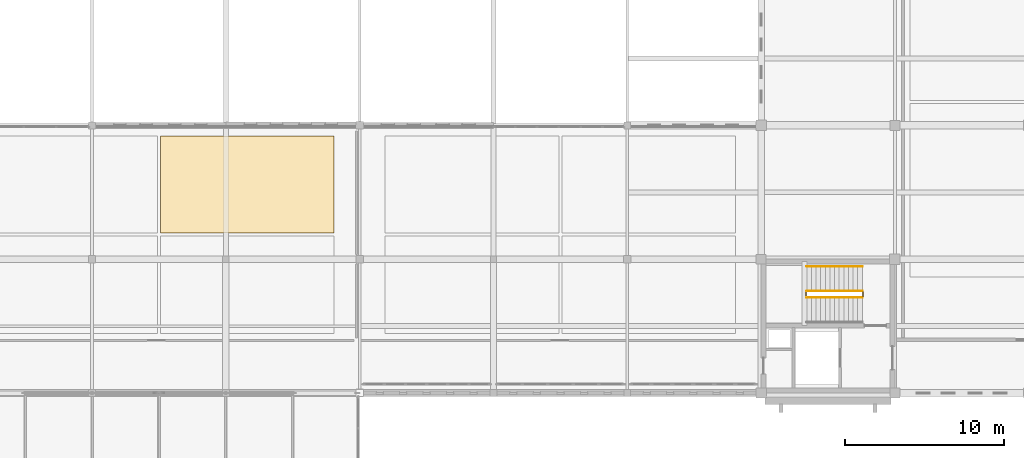
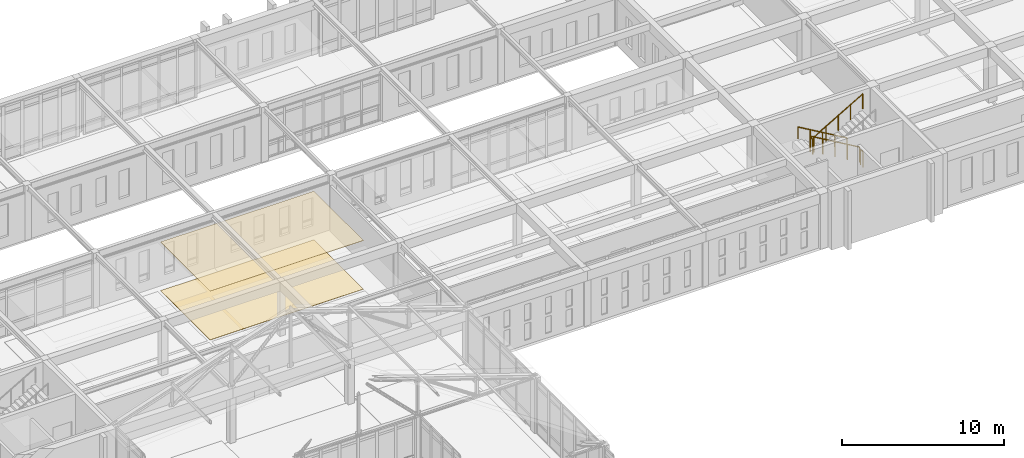
# One storey, part 188 of 192: 5 railings, 2 coverings.
"""IFC4 building model written with IfcOpenShell, lengths in metres."""

import ifcopenshell
import ifcopenshell.guid

model = None  # the IFC model being written
_history = None  # IfcOwnerHistory: only IFC2X3 demands one
_inside = {}  # id of a spatial element -> (the spatial element, [elements in it])
_under = {}  # id of a project, library or spatial element -> (it, [spatial elements below it])
_declared = {}  # id of a project -> (the project, [libraries it declares])
_typed = {}  # id of a type object -> (the type object, [elements of that type])
_made_of = {}  # id of a material, layer set ... -> (it, [elements and type objects made of it])


def new_model(schema):
    """Start an empty IFC model of exactly this schema.

    Asked for "IFC4X3", IfcOpenShell would pick the latest addendum, in which some entities
    have other attributes; the version numbers below select the first issue.
    IFC2X3 requires an IfcOwnerHistory on every rooted entity: one is made here for all.
    """
    global model, _history
    if schema == "IFC4X3":
        model = ifcopenshell.file(schema_version=(4, 3, 0, 0))
    else:
        model = ifcopenshell.file(schema=schema)
    _inside.clear()
    _under.clear()
    _declared.clear()
    _typed.clear()
    _made_of.clear()
    _history = None
    if model.schema == "IFC2X3":
        org = make("IfcOrganization", Name="unknown")
        user = make(
            "IfcPersonAndOrganization",
            ThePerson=make("IfcPerson", FamilyName="unknown"),
            TheOrganization=org,
        )
        app = make(
            "IfcApplication",
            ApplicationDeveloper=org,
            Version="unknown",
            ApplicationFullName="unknown",
            ApplicationIdentifier="unknown",
        )
        _history = make(
            "IfcOwnerHistory",
            OwningUser=user,
            OwningApplication=app,
            ChangeAction="ADDED",
            CreationDate=0,
        )
    return model


def make(cls, **values):
    """One entity of the class cls with the attributes given. An attribute that is None is left unset."""
    return model.create_entity(
        cls, **{name: value for name, value in values.items() if value is not None}
    )


def rooted(cls, **values):
    """An entity with a GlobalId (a new one), such as an element, a storey or a relation."""
    return make(cls, GlobalId=ifcopenshell.guid.new(), OwnerHistory=_history, **values)


def si_unit(unit_type, name, prefix=None):
    """IfcSIUnit, for example si_unit("LENGTHUNIT", "METRE", prefix="MILLI")."""
    return make("IfcSIUnit", UnitType=unit_type, Prefix=prefix, Name=name)


def assignment(units):
    """IfcUnitAssignment: the units of a project."""
    return None if units is None else make("IfcUnitAssignment", Units=units)


def point(xyz):
    """IfcCartesianPoint."""
    return None if xyz is None else make("IfcCartesianPoint", Coordinates=xyz)


def direction(xyz):
    """IfcDirection."""
    return None if xyz is None else make("IfcDirection", DirectionRatios=xyz)


def frame(location, z_axis=None, x_axis=None):
    """IfcAxis2Placement3D, a coordinate frame: its origin and axes. An axis left out is left unset."""
    return make(
        "IfcAxis2Placement3D",
        Location=point(location),
        Axis=direction(z_axis),
        RefDirection=direction(x_axis),
    )


def frame_2d(location, x_axis=None):
    """IfcAxis2Placement2D, a coordinate frame in the plane: its origin and x axis."""
    return make(
        "IfcAxis2Placement2D", Location=point(location), RefDirection=direction(x_axis)
    )


def origin():
    """The frame at (0, 0, 0) with its axes left unset."""
    return frame((0.0, 0.0, 0.0))


def origin_2d():
    """The frame at (0, 0) in the plane with its x axis left unset."""
    return frame_2d((0.0, 0.0))


def place(relative_to, where):
    """IfcLocalPlacement: puts the frame where relative to a parent placement (None: the world)."""
    return make(
        "IfcLocalPlacement", PlacementRelTo=relative_to, RelativePlacement=where
    )


def context(
    kind, dimensions, precision=None, world=None, true_north=None, identifier=None
):
    """IfcGeometricRepresentationContext, for example the 3D "Model" context."""
    return make(
        "IfcGeometricRepresentationContext",
        ContextIdentifier=identifier,
        ContextType=kind,
        CoordinateSpaceDimension=dimensions,
        Precision=precision,
        WorldCoordinateSystem=world,
        TrueNorth=true_north,
    )


def subcontext(parent, identifier, kind, view, scale=None):
    """IfcGeometricRepresentationSubContext, for example "Body" below "Model"."""
    return make(
        "IfcGeometricRepresentationSubContext",
        ContextIdentifier=identifier,
        ContextType=kind,
        ParentContext=parent,
        TargetScale=scale,
        TargetView=view,
    )


def project(units=None, contexts=None):
    """IfcProject with its units and contexts."""
    return rooted(
        "IfcProject",
        Name="project",
        RepresentationContexts=contexts,
        UnitsInContext=assignment(units),
    )


def spatial(cls, under=None, at=None, **own):
    """A site, building, storey or space (cls), placed at a placement, below another one or the project."""
    s = rooted(cls, ObjectPlacement=at, **own)
    if under is not None:
        _under.setdefault(under.id(), (under, []))[1].append(s)
    return s


def profile(cls, at=None, kind="AREA", **sizes):
    """A parametric profile (cls). Its sizes go by their IFC names, for example OverallWidth=200.0."""
    return make(cls, ProfileType=kind, Position=at, **sizes)


def rectangle(**sizes):
    """IfcRectangleProfileDef."""
    return profile("IfcRectangleProfileDef", **sizes)


def circle(**sizes):
    """IfcCircleProfileDef."""
    return profile("IfcCircleProfileDef", **sizes)


def extrude(swept, where, along, depth):
    """IfcExtrudedAreaSolid: the profile swept, set in the frame where, extruded along a direction by depth."""
    return make(
        "IfcExtrudedAreaSolid",
        SweptArea=swept,
        Position=where,
        ExtrudedDirection=direction(along),
        Depth=depth,
    )


def shape(context_of_items, identifier, shape_type, items):
    """IfcShapeRepresentation: the items that make up one representation, for example the "Body"."""
    return make(
        "IfcShapeRepresentation",
        ContextOfItems=context_of_items,
        RepresentationIdentifier=identifier,
        RepresentationType=shape_type,
        Items=items,
    )


def material(Name=None, Category=None):
    """IfcMaterial."""
    return make("IfcMaterial", Name=Name, Category=Category)


def layer(
    of_material, thickness, ventilated=None, Name=None, Category=None, Priority=None
):
    """IfcMaterialLayer: one layer of a wall or slab, of a material (None: an air gap)."""
    return make(
        "IfcMaterialLayer",
        Material=of_material,
        LayerThickness=thickness,
        IsVentilated=ventilated,
        Name=Name,
        Category=Category,
        Priority=Priority,
    )


def layer_set(layers, Name=None):
    """IfcMaterialLayerSet."""
    return make("IfcMaterialLayerSet", MaterialLayers=layers, LayerSetName=Name)


def made_of(thing, what):
    """Note that an element or type object is made of a material, layer set ...; save() writes the relation."""
    if what is not None:
        _made_of.setdefault(what.id(), (what, []))[1].append(thing)
    return thing


def type_object(cls, material=None, **own):
    """A type object (cls), such as IfcWallType, which elements share."""
    return made_of(rooted(cls, **own), material)


def element(
    cls,
    number,
    at=None,
    inside=None,
    cuts=None,
    type_object=None,
    material=None,
    context=None,
    identifier="Body",
    shape_type=None,
    held_by="IfcProductDefinitionShape",
    body=None,
    shapes=None,
    **own,
):
    """One element of the class cls, such as IfcWall. Its Tag is "e" and its number.

    at: its placement. inside: the storey or other place that contains it. cuts: it is an
    opening in that element (IfcRelVoidsElement). A single representation is given by context,
    identifier, shape_type and body (its items); several are given by shapes. held_by: the class
    of the entity that holds the representations. save() writes the other relations.
    """
    e = rooted(cls, Tag="e%d" % number, ObjectPlacement=at, **own)
    if body is not None:
        shapes = [shape(context, identifier, shape_type, body)]
    if shapes is not None:
        e.Representation = make(held_by, Representations=shapes)
    if inside is not None:
        _inside.setdefault(inside.id(), (inside, []))[1].append(e)
    if cuts is not None:
        rooted(
            "IfcRelVoidsElement", RelatingBuildingElement=cuts, RelatedOpeningElement=e
        )
    if type_object is not None:
        _typed.setdefault(type_object.id(), (type_object, []))[1].append(e)
    return made_of(e, material)


def aggregate(whole, parts):
    """IfcRelAggregates: a whole, such as a stair, and the parts it consists of."""
    return rooted("IfcRelAggregates", RelatingObject=whole, RelatedObjects=parts)


def save(model, path):
    """Write the relations noted so far, then the file.

    IfcRelAggregates (storeys below a building ...), IfcRelContainedInSpatialStructure (elements
    in a storey), IfcRelDefinesByType, IfcRelAssociatesMaterial and IfcRelDeclares: one each for
    every whole, place, type object, material and project.
    """
    for whole, parts in _under.values():
        aggregate(whole, parts)
    for where, things in _inside.values():
        rooted(
            "IfcRelContainedInSpatialStructure",
            RelatedElements=things,
            RelatingStructure=where,
        )
    for kind, things in _typed.values():
        rooted("IfcRelDefinesByType", RelatedObjects=things, RelatingType=kind)
    for what, things in _made_of.values():
        rooted("IfcRelAssociatesMaterial", RelatedObjects=things, RelatingMaterial=what)
    for by, libraries in _declared.values():
        rooted("IfcRelDeclares", RelatingContext=by, RelatedDefinitions=libraries)
    model.write(path)


model = new_model("IFC4")

# Units and contexts
model_context = context("Model", 3, precision=1e-05, world=origin(), true_north=direction((0.0, 1.0)))
body_context = subcontext(model_context, "Body", "Model", "MODEL_VIEW")
ifc_project = project(units=[si_unit("LENGTHUNIT", "METRE"), si_unit("AREAUNIT", "SQUARE_METRE"), si_unit("VOLUMEUNIT", "CUBIC_METRE"), si_unit("PLANEANGLEUNIT", "RADIAN"), si_unit("MASSUNIT", "GRAM", prefix="KILO")], contexts=[model_context])

# Site, building, storey
site_placement = place(None, origin())
site = spatial("IfcSite", under=ifc_project, at=site_placement, CompositionType="ELEMENT")
building_placement = place(site_placement, origin())
building = spatial("IfcBuilding", under=site, at=building_placement, Name="Kveldsbrygga Polytechnic", CompositionType="ELEMENT")
storey_placement = place(building_placement, frame((0.0, 0.0, 5.43994140625)))
storey = spatial("IfcBuildingStorey", under=building, at=storey_placement, Name="L01", CompositionType="ELEMENT", Elevation=5.43994140625)

# Coverings
ifc_material_1 = material(Name="Acoustic mineral baffle ceiling")
ifc_layer_1 = layer(ifc_material_1, 0.030029296875)
ifc_layer_set_1 = layer_set([ifc_layer_1], Name="Acoustic mineral baffle ceiling")
covering_type_1 = type_object("IfcCoveringType", Name="COV-CEIL-AC30", PredefinedType="CEILING", material=ifc_layer_set_1)
covering_1_placement = place(storey_placement, frame((68.550048828125, 97.10009765625, 3.64990234375), z_axis=(0.0, 0.0, 1.0), x_axis=(1.0, 0.0, 0.0)))
element("IfcCovering", 1, at=covering_1_placement, inside=storey, type_object=covering_type_1, Name="Acoustic Ceiling SP-L01-SEM11-EN", PredefinedType="CEILING", context=body_context, shape_type="SweptSolid", body=[
    extrude(rectangle(XDim=10.89990234375, YDim=6.10009765625, at=origin_2d()), origin(), (0.0, 0.0, 1.0), 0.030029296875),
])
ifc_material_2 = material(Name="Acoustic oak timber flooring", Category="wood")
ifc_layer_2 = layer(ifc_material_2, 0.02197265625)
ifc_layer_set_2 = layer_set([ifc_layer_2], Name="Acoustic oak timber flooring")
covering_type_2 = type_object("IfcCoveringType", Name="COV-FLR-OAK22", PredefinedType="FLOORING", material=ifc_layer_set_2)
covering_2_placement = place(storey_placement, frame((68.550048828125, 97.10009765625, 0.0), z_axis=(0.0, 0.0, 1.0), x_axis=(1.0, 0.0, 0.0)))
element("IfcCovering", 2, at=covering_2_placement, inside=storey, type_object=covering_type_2, Name="Room Flooring SP-L01-SEM11-EN", PredefinedType="FLOORING", context=body_context, shape_type="SweptSolid", body=[
    extrude(rectangle(XDim=10.89990234375, YDim=6.10009765625, at=origin_2d()), origin(), (0.0, 0.0, 1.0), 0.02197265625),
])

# Railings
ifc_material_3 = material(Name="Steel S355", Category="steel")
railing_type_1 = type_object("IfcRailingType", Name="RL-STAIR-GRD", PredefinedType="GUARDRAIL", material=ifc_material_3)
railing_1_placement = place(storey_placement, frame((107.14990234375, 90.39990234375, 0.170166015625)))
element("IfcRailing", 3, at=railing_1_placement, inside=storey, type_object=railing_type_1, Name="L01 ST-5 stair guard 1", PredefinedType="GUARDRAIL", context=body_context, shape_type="SweptSolid", body=[
    extrude(circle(Radius=0.02392578125, at=origin_2d()), frame((0.0, 0.0, 1.1259765625), z_axis=(-0.862718911971, 0.0, 0.505683773644), x_axis=(0.0, -1.0, 0.0)), (0.0, 0.0, 1.0), 4.03369140625),
    extrude(circle(Radius=0.02099609375, at=origin_2d()), origin(), (0.0, 0.0, 1.0), 1.097900390625),
    extrude(circle(Radius=0.02099609375, at=origin_2d()), frame((-0.8701171875, 0.0, 0.510009765625)), (0.0, 0.0, 1.0), 1.097900390625),
    extrude(circle(Radius=0.02099609375, at=origin_2d()), frame((-1.739990234375, 0.0, 1.02001953125)), (0.0, 0.0, 1.0), 1.097900390625),
    extrude(circle(Radius=0.02099609375, at=origin_2d()), frame((-2.60986328125, 0.0, 1.52978515625)), (0.0, 0.0, 1.0), 1.097900390625),
    extrude(circle(Radius=0.02099609375, at=origin_2d()), frame((-3.47998046875, 0.0, 2.039794921875)), (0.0, 0.0, 1.0), 1.097900390625),
])
railing_2_placement = place(storey_placement, frame((103.6201171875, 90.35009765625, 2.2099609375)))
element("IfcRailing", 4, at=railing_2_placement, inside=storey, type_object=railing_type_1, Name="L01 ST-5 stair guard 2", PredefinedType="GUARDRAIL", context=body_context, shape_type="SweptSolid", body=[
    extrude(circle(Radius=0.02392578125, at=origin_2d()), frame((0.0, 0.0, 1.1259765625), z_axis=(0.0, -1.0, 0.0), x_axis=(1.0, 0.0, 0.0)), (0.0, 0.0, 1.0), 0.300048828125),
    extrude(circle(Radius=0.02099609375, at=origin_2d()), origin(), (0.0, 0.0, 1.0), 1.097900390625),
    extrude(circle(Radius=0.02099609375, at=origin_2d()), frame((0.0, -0.300048828125, 0.0)), (0.0, 0.0, 1.0), 1.097900390625),
])
railing_3_placement = place(storey_placement, frame((103.669921875, 90.0, 2.380126953125)))
element("IfcRailing", 5, at=railing_3_placement, inside=storey, type_object=railing_type_1, Name="L01 ST-5 stair guard 3", PredefinedType="GUARDRAIL", context=body_context, shape_type="SweptSolid", body=[
    extrude(circle(Radius=0.02392578125, at=origin_2d()), frame((0.0, 0.0, 1.1259765625), z_axis=(0.862692506924, 0.0, 0.505728819128), x_axis=(0.0, 1.0, 0.0)), (0.0, 0.0, 1.0), 4.033935546875),
    extrude(circle(Radius=0.02099609375, at=origin_2d()), origin(), (0.0, 0.0, 1.0), 1.097900390625),
    extrude(circle(Radius=0.02099609375, at=origin_2d()), frame((0.8701171875, 0.0, 0.510009765625)), (0.0, 0.0, 1.0), 1.097900390625),
    extrude(circle(Radius=0.02099609375, at=origin_2d()), frame((1.739990234375, 0.0, 1.02001953125)), (0.0, 0.0, 1.0), 1.097900390625),
    extrude(circle(Radius=0.02099609375, at=origin_2d()), frame((2.60986328125, 0.0, 1.530029296875)), (0.0, 0.0, 1.0), 1.097900390625),
    extrude(circle(Radius=0.02099609375, at=origin_2d()), frame((3.47998046875, 0.0, 2.0400390625)), (0.0, 0.0, 1.0), 1.097900390625),
])
railing_4_placement = place(storey_placement, frame((107.199951171875, 90.35009765625, 0.0)))
element("IfcRailing", 6, at=railing_4_placement, inside=storey, type_object=railing_type_1, Name="L01 ST-5 stair guard 4", PredefinedType="GUARDRAIL", context=body_context, shape_type="SweptSolid", body=[
    extrude(circle(Radius=0.02392578125, at=origin_2d()), frame((0.0, 0.0, 1.1259765625), z_axis=(0.0, -1.0, 0.0), x_axis=(1.0, 0.0, 0.0)), (0.0, 0.0, 1.0), 0.300048828125),
    extrude(circle(Radius=0.02099609375, at=origin_2d()), origin(), (0.0, 0.0, 1.0), 1.097900390625),
    extrude(circle(Radius=0.02099609375, at=origin_2d()), frame((0.0, -0.300048828125, 0.0)), (0.0, 0.0, 1.0), 1.097900390625),
])
railing_type_2 = type_object("IfcRailingType", Name="RL-STAIR-HND", PredefinedType="HANDRAIL", material=ifc_material_3)
railing_5_placement = place(storey_placement, frame((107.14990234375, 91.949951171875, 0.170166015625)))
element("IfcRailing", 7, at=railing_5_placement, inside=storey, type_object=railing_type_2, Name="L01 ST-5 stair handrail 1", PredefinedType="HANDRAIL", context=body_context, shape_type="SweptSolid", body=[
    extrude(circle(Radius=0.02392578125, at=origin_2d()), frame((0.0, 0.0, 0.8759765625), z_axis=(-0.862718911971, 0.0, 0.505683773644), x_axis=(0.0, -1.0, 0.0)), (0.0, 0.0, 1.0), 4.03369140625),
    extrude(circle(Radius=0.02099609375, at=origin_2d()), origin(), (0.0, 0.0, 1.0), 0.847900390625),
    extrude(circle(Radius=0.02099609375, at=origin_2d()), frame((-0.8701171875, 0.0, 0.510009765625)), (0.0, 0.0, 1.0), 0.847900390625),
    extrude(circle(Radius=0.02099609375, at=origin_2d()), frame((-1.739990234375, 0.0, 1.02001953125)), (0.0, 0.0, 1.0), 0.847900390625),
    extrude(circle(Radius=0.02099609375, at=origin_2d()), frame((-2.60986328125, 0.0, 1.52978515625)), (0.0, 0.0, 1.0), 0.847900390625),
    extrude(circle(Radius=0.02099609375, at=origin_2d()), frame((-3.47998046875, 0.0, 2.039794921875)), (0.0, 0.0, 1.0), 0.847900390625),
])

save(model, "model.ifc")
